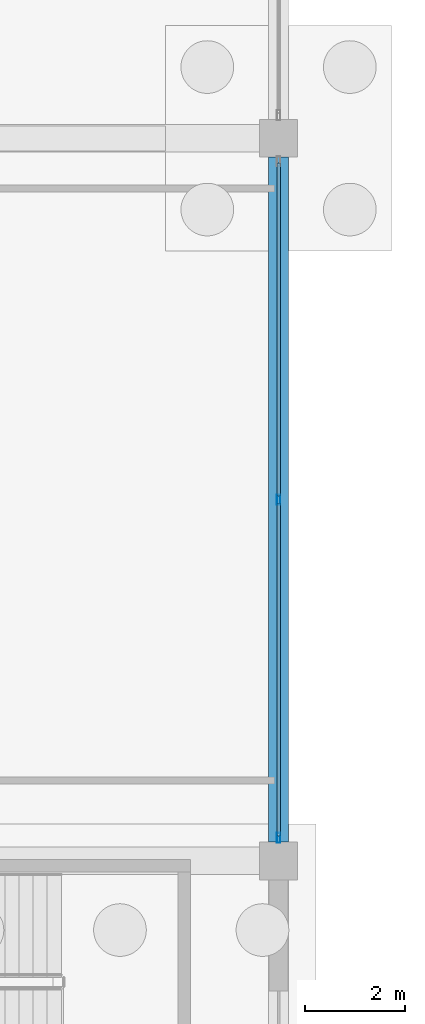
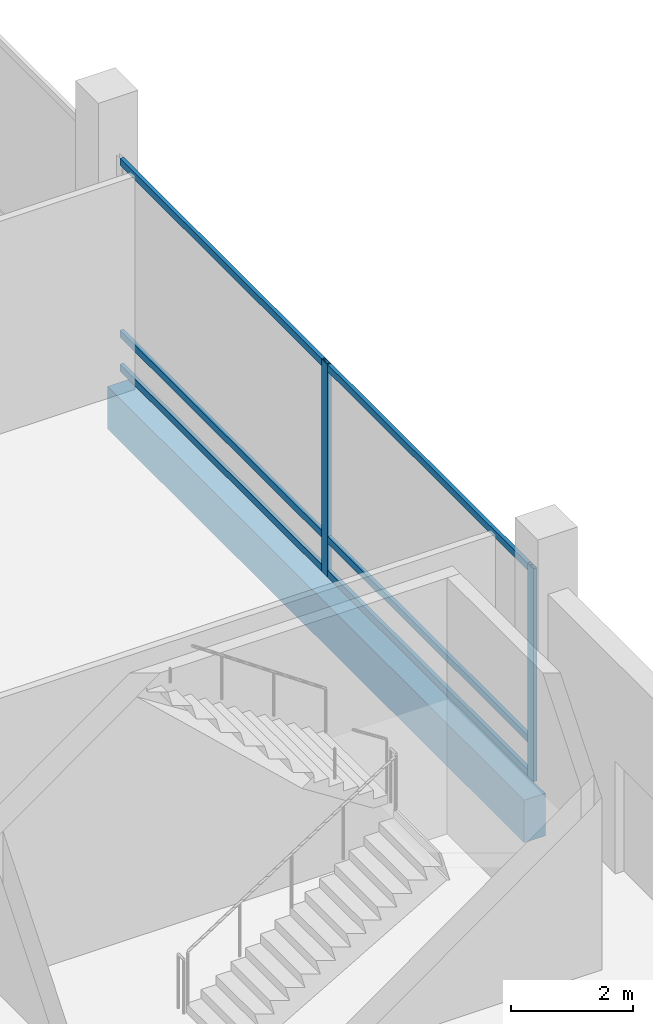
# One storey, part 105 of 192: 8 members, 1 beam, 1 element without a shape of its own.
"""IFC4 building model written with IfcOpenShell, lengths in metres."""

from ifc_helpers import new_model, si_unit, direction, frame, origin, origin_2d, place, context, subcontext, project, spatial, rectangle, hollow_rectangle, extrude, material, material_profile, profile_set, type_object, element, aggregate, save


model = new_model("IFC4")

# Units and contexts
model_context = context("Model", 3, precision=1e-05, world=origin(), true_north=direction((0.0, 1.0)))
body_context = subcontext(model_context, "Body", "Model", "MODEL_VIEW")
ifc_project = project(units=[si_unit("LENGTHUNIT", "METRE"), si_unit("AREAUNIT", "SQUARE_METRE"), si_unit("VOLUMEUNIT", "CUBIC_METRE"), si_unit("PLANEANGLEUNIT", "RADIAN"), si_unit("MASSUNIT", "GRAM", prefix="KILO")], contexts=[model_context])

# Site, building, storey
site_placement = place(None, origin())
site = spatial("IfcSite", under=ifc_project, at=site_placement, CompositionType="ELEMENT")
building_placement = place(site_placement, origin())
building = spatial("IfcBuilding", under=site, at=building_placement, Name="Cendralis Lancet Convention Centre", CompositionType="ELEMENT")
storey_placement = place(building_placement, origin())
storey = spatial("IfcBuildingStorey", under=building, at=storey_placement, Name="L00", CompositionType="ELEMENT", Elevation=0.0)

# Curtain wall, members
ifc_material_1 = material(Name="Anodised bronze architectural aluminium", Category="aluminium")
curtain_wall_type = type_object("IfcCurtainWallType", Name="ARC-CW-PL01", PredefinedType="USERDEFINED", material=ifc_material_1)
curtain_wall_placement = place(storey_placement, origin())
curtain_wall = element("IfcCurtainWall", 1, at=curtain_wall_placement, inside=storey, type_object=curtain_wall_type, Name="L00 Curtain Wall CW-PL1 #113", ObjectType="CURTAIN WALL", PredefinedType="USERDEFINED")
ifc_material_profile_1 = material_profile(ifc_material_1, hollow_rectangle(XDim=0.070068359375, YDim=0.199951171875, WallThickness=0.0048828125, at=origin_2d()), Name="AL-MULL 70x200x5.0")
ifc_profile_set_1 = profile_set([ifc_material_profile_1], Name="Anodised bronze architectural aluminium")
member_type_1 = type_object("IfcMemberType", Name="ARC-CW-ML02", PredefinedType="MULLION", material=ifc_profile_set_1)
member_1_placement = place(storey_placement, frame((208.800048828125, 57.60009765625, 0.0), z_axis=(0.0, 0.0, 1.0), x_axis=(1.0, 0.0, 0.0)))
member_1 = element("IfcMember", 2, at=member_1_placement, type_object=member_type_1, Name="Mullion CW2-CW-PL1-L00-113-M1", PredefinedType="MULLION", context=body_context, shape_type="SweptSolid", body=[
    extrude(hollow_rectangle(XDim=0.070068359375, YDim=0.199951171875, WallThickness=0.0048828125, at=origin_2d()), origin(), (0.0, 0.0, 1.0), 4.2548828125),
])
member_2_placement = place(storey_placement, frame((208.800048828125, 50.860107421875, 0.0), z_axis=(0.0, 0.0, 1.0), x_axis=(1.0, 0.0, 0.0)))
member_2 = element("IfcMember", 3, at=member_2_placement, type_object=member_type_1, Name="Mullion CW2-CW-PL1-L00-113-M2", PredefinedType="MULLION", context=body_context, shape_type="SweptSolid", body=[
    extrude(hollow_rectangle(XDim=0.070068359375, YDim=0.199951171875, WallThickness=0.0048828125, at=origin_2d()), origin(), (0.0, 0.0, 1.0), 4.2548828125),
])
ifc_material_profile_2 = material_profile(ifc_material_1, hollow_rectangle(XDim=0.070068359375, YDim=0.139892578125, WallThickness=0.00390625, at=origin_2d()), Name="AL-TRAN 70x140x4.0")
ifc_profile_set_2 = profile_set([ifc_material_profile_2], Name="Anodised bronze architectural aluminium")
member_type_2 = type_object("IfcMemberType", Name="ARC-CW-TR02", PredefinedType="USERDEFINED", material=ifc_profile_set_2)
member_3_placement = place(storey_placement, frame((208.800048828125, 64.304931640625, 0.070068359375), z_axis=(0.0, -1.0, 0.0), x_axis=(1.0, 0.0, 0.0)))
member_3 = element("IfcMember", 4, at=member_3_placement, type_object=member_type_2, Name="Transom CW2-CW-PL1-L00-113-T0BOT", ObjectType="TRANSOM", PredefinedType="USERDEFINED", context=body_context, shape_type="SweptSolid", body=[
    extrude(hollow_rectangle(XDim=0.070068359375, YDim=0.139892578125, WallThickness=0.00390625, at=origin_2d()), origin(), (0.0, 0.0, 1.0), 6.635009765625),
])
member_4_placement = place(storey_placement, frame((208.800048828125, 64.304931640625, 0.75), z_axis=(0.0, -1.0, 0.0), x_axis=(1.0, 0.0, 0.0)))
member_4 = element("IfcMember", 5, at=member_4_placement, type_object=member_type_2, Name="Transom CW2-CW-PL1-L00-113-T0MID", ObjectType="TRANSOM", PredefinedType="USERDEFINED", context=body_context, shape_type="SweptSolid", body=[
    extrude(hollow_rectangle(XDim=0.070068359375, YDim=0.139892578125, WallThickness=0.00390625, at=origin_2d()), origin(), (0.0, 0.0, 1.0), 6.635009765625),
])
member_5_placement = place(storey_placement, frame((208.800048828125, 64.304931640625, 4.18505859375), z_axis=(0.0, -1.0, 0.0), x_axis=(1.0, 0.0, 0.0)))
member_5 = element("IfcMember", 6, at=member_5_placement, type_object=member_type_2, Name="Transom CW2-CW-PL1-L00-113-T0TOP", ObjectType="TRANSOM", PredefinedType="USERDEFINED", context=body_context, shape_type="SweptSolid", body=[
    extrude(hollow_rectangle(XDim=0.070068359375, YDim=0.139892578125, WallThickness=0.00390625, at=origin_2d()), origin(), (0.0, 0.0, 1.0), 6.635009765625),
])
member_6_placement = place(storey_placement, frame((208.800048828125, 57.530029296875, 0.070068359375), z_axis=(0.0, -1.0, 0.0), x_axis=(1.0, 0.0, 0.0)))
member_6 = element("IfcMember", 7, at=member_6_placement, type_object=member_type_2, Name="Transom CW2-CW-PL1-L00-113-T1BOT", ObjectType="TRANSOM", PredefinedType="USERDEFINED", context=body_context, shape_type="SweptSolid", body=[
    extrude(hollow_rectangle(XDim=0.070068359375, YDim=0.139892578125, WallThickness=0.00390625, at=origin_2d()), origin(), (0.0, 0.0, 1.0), 6.635009765625),
])
member_7_placement = place(storey_placement, frame((208.800048828125, 57.530029296875, 0.75), z_axis=(0.0, -1.0, 0.0), x_axis=(1.0, 0.0, 0.0)))
member_7 = element("IfcMember", 8, at=member_7_placement, type_object=member_type_2, Name="Transom CW2-CW-PL1-L00-113-T1MID", ObjectType="TRANSOM", PredefinedType="USERDEFINED", context=body_context, shape_type="SweptSolid", body=[
    extrude(hollow_rectangle(XDim=0.070068359375, YDim=0.139892578125, WallThickness=0.00390625, at=origin_2d()), origin(), (0.0, 0.0, 1.0), 6.635009765625),
])
member_8_placement = place(storey_placement, frame((208.800048828125, 57.530029296875, 4.18505859375), z_axis=(0.0, -1.0, 0.0), x_axis=(1.0, 0.0, 0.0)))
member_8 = element("IfcMember", 9, at=member_8_placement, type_object=member_type_2, Name="Transom CW2-CW-PL1-L00-113-T1TOP", ObjectType="TRANSOM", PredefinedType="USERDEFINED", context=body_context, shape_type="SweptSolid", body=[
    extrude(hollow_rectangle(XDim=0.070068359375, YDim=0.139892578125, WallThickness=0.00390625, at=origin_2d()), origin(), (0.0, 0.0, 1.0), 6.635009765625),
])
aggregate(curtain_wall, [member_1, member_2, member_3, member_4, member_5, member_6, member_7, member_8])

# Beam
ifc_material_2 = material(Name="Concrete G40 (C40/50)", Category="concrete")
ifc_material_profile_3 = material_profile(ifc_material_2, rectangle(XDim=0.39990234375, YDim=0.85009765625, at=origin_2d()), Name="RCB 400x850")
ifc_profile_set_3 = profile_set([ifc_material_profile_3], Name="Concrete G40 (C40/50)")
beam_type = type_object("IfcBeamType", Name="STR-SP-SP02", PredefinedType="SPANDREL", material=ifc_profile_set_3)
beam_placement = place(storey_placement, frame((208.800048828125, 50.77490234375, -0.7451171875), z_axis=(0.0, 1.0, 0.0), x_axis=(-1.0, 0.0, 0.0)))
element("IfcBeam", 10, at=beam_placement, inside=storey, type_object=beam_type, Name="L00 Beam SP02 #1383", PredefinedType="SPANDREL", context=body_context, shape_type="SweptSolid", body=[
    extrude(rectangle(XDim=0.39990234375, YDim=0.85009765625, at=origin_2d()), origin(), (0.0, 0.0, 1.0), 13.650146484375),
])

save(model, "model.ifc")
